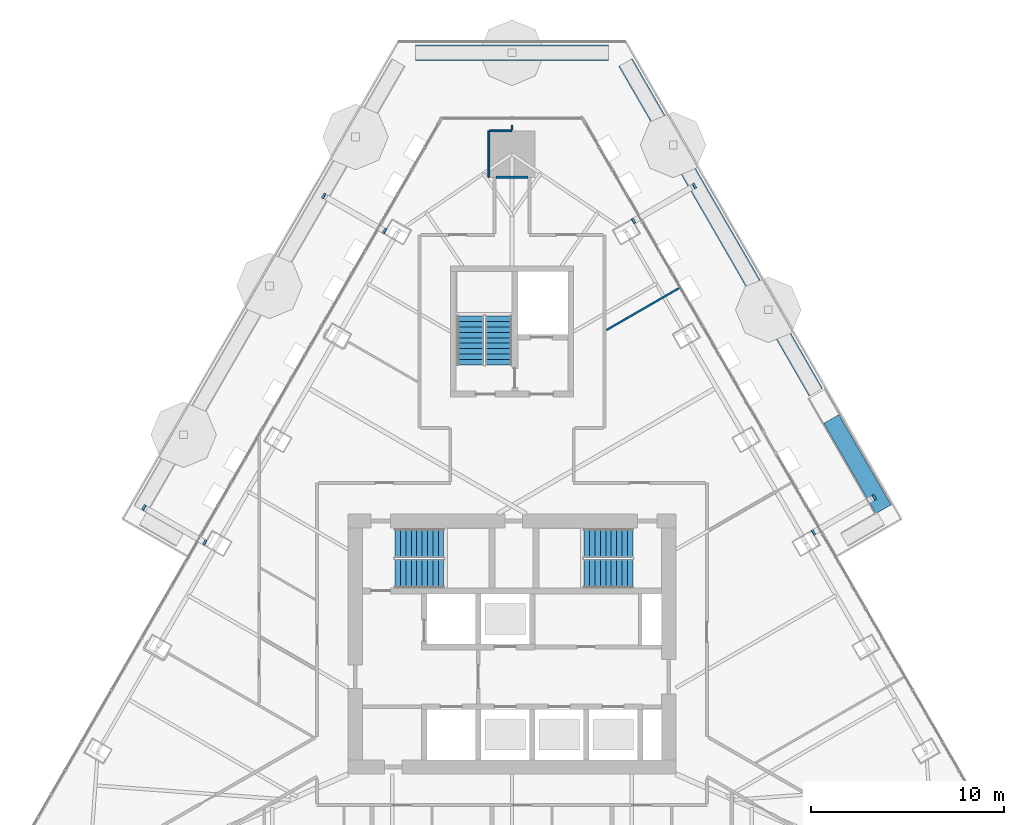
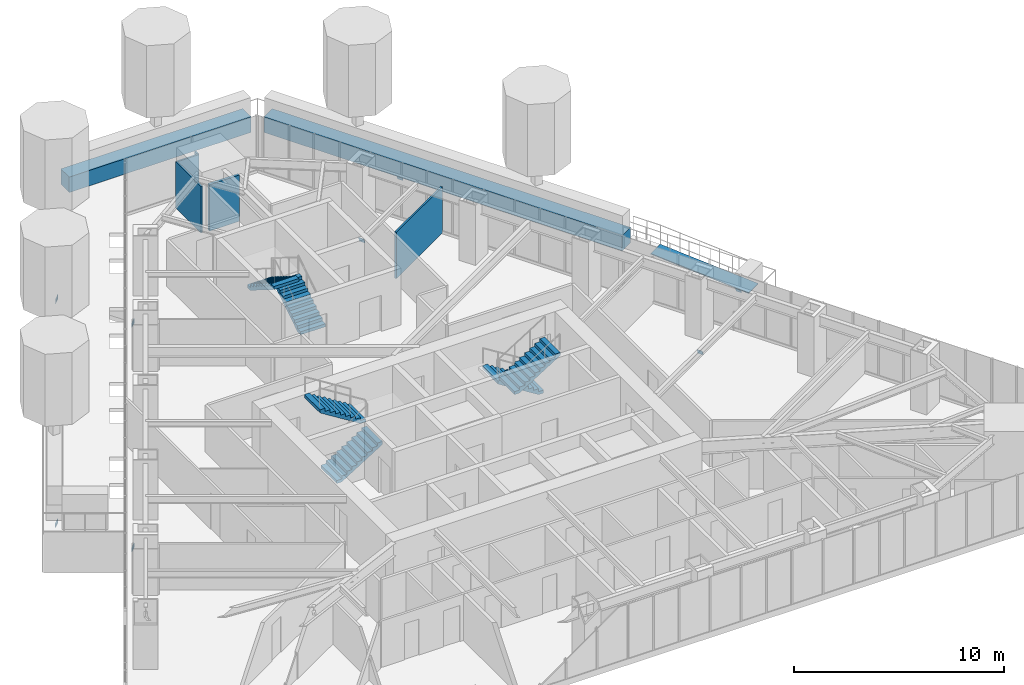
# One storey, part 19 of 22: 8 discrete accessories, 7 walls, 6 stair flights, 1 ramp flight, 4 elements without a shape of their own.
"""IFC4 building model written with IfcOpenShell, lengths in metres."""

from ifc_helpers import new_model, si_unit, direction, frame, frame_2d, origin, place, context, subcontext, project, spatial, polyline, rectangle, outline, extrude, material, layer, layer_set, type_object, element, aggregate, save


model = new_model("IFC4")

# Units and contexts
model_context = context("Model", 3, precision=1e-05, world=origin(), true_north=direction((0.0, 1.0)))
body_context = subcontext(model_context, "Body", "Model", "MODEL_VIEW")
ifc_project = project(units=[si_unit("LENGTHUNIT", "METRE"), si_unit("AREAUNIT", "SQUARE_METRE"), si_unit("VOLUMEUNIT", "CUBIC_METRE"), si_unit("PLANEANGLEUNIT", "RADIAN"), si_unit("MASSUNIT", "GRAM", prefix="KILO")], contexts=[model_context])

# Site, building, storey
site_placement = place(None, origin())
site = spatial("IfcSite", under=ifc_project, at=site_placement, CompositionType="ELEMENT")
building_placement = place(site_placement, origin())
building = spatial("IfcBuilding", under=site, at=building_placement, Name="Firuza Gate Tower and Library", CompositionType="ELEMENT")
storey_placement = place(building_placement, frame((0.0, 0.0, 295.10009765625)))
storey = spatial("IfcBuildingStorey", under=building, at=storey_placement, Name="L71", CompositionType="ELEMENT", Elevation=295.10009765625)

# Walls
ifc_material_1 = material(Name="Gypsum board partition")
ifc_layer_1 = layer(ifc_material_1, 0.14990234375)
ifc_layer_set_1 = layer_set([ifc_layer_1], Name="Corridor wall 150 double board on steel studs")
wall_type_1 = type_object("IfcWallType", Name="Corridor wall 150 double board on steel studs", PredefinedType="PARTITIONING", material=ifc_layer_set_1)
wall_1_placement = place(storey_placement, frame((74.180419921875, 99.18896484375, 0.0), z_axis=(0.0, 0.0, 1.0), x_axis=(1.0, 0.0, 0.0)))
element("IfcWall", 1, at=wall_1_placement, inside=storey, type_object=wall_type_1, Name="f:L71:w008", PredefinedType="PARTITIONING", context=body_context, shape_type="SweptSolid", body=[
    extrude(rectangle(XDim=1.64404296875, YDim=0.14990234375, at=frame_2d((0.822021484375, 0.0))), origin(), (0.0, 0.0, 1.0), 2.697021484375),
])
ifc_material_2 = material(Name="Gypsum board partition")
ifc_layer_2 = layer(ifc_material_2, 0.10009765625)
ifc_layer_set_2 = layer_set([ifc_layer_2], Name="Partition 100 gypsum board on steel studs")
wall_type_2 = type_object("IfcWallType", Name="Partition 100 gypsum board on steel studs", PredefinedType="PARTITIONING", material=ifc_layer_set_2)
wall_2_placement = place(storey_placement, frame((73.8505859375, 101.589111328125, 0.0), z_axis=(0.0, 0.0, 1.0), x_axis=(1.0, 0.0, 0.0)))
element("IfcWall", 2, at=wall_2_placement, inside=storey, type_object=wall_type_2, Name="f:L71:w009", PredefinedType="PARTITIONING", context=body_context, shape_type="SweptSolid", body=[
    extrude(rectangle(XDim=1.1494140625, YDim=0.10009765625, at=frame_2d((0.57470703125, 0.0))), origin(), (0.0, 0.0, 1.0), 2.699951171875),
])
wall_3_placement = place(storey_placement, frame((79.901123046875, 91.27392578125, 0.0), z_axis=(0.0, 0.0, 1.0), x_axis=(0.86602077629, 0.50000801497, 0.0)))
element("IfcWall", 3, at=wall_3_placement, inside=storey, type_object=wall_type_2, Name="f:L71:w017", PredefinedType="PARTITIONING", context=body_context, shape_type="SweptSolid", body=[
    extrude(rectangle(XDim=4.39111328125, YDim=0.10009765625, at=frame_2d((2.195556640625, 0.0))), origin(), (0.0, 0.0, 1.0), 2.699951171875),
])
wall_4_placement = place(storey_placement, frame((75.0, 101.639404296875, 0.0), z_axis=(0.0, 0.0, 1.0), x_axis=(0.0, 1.0, 0.0)))
element("IfcWall", 4, at=wall_4_placement, inside=storey, type_object=wall_type_2, Name="f:L71:w034", PredefinedType="PARTITIONING", context=body_context, shape_type="SweptSolid", body=[
    extrude(rectangle(XDim=0.25, YDim=0.10009765625, at=frame_2d((0.125, 0.0))), origin(), (0.0, 0.0, 1.0), 2.699951171875),
])
wall_5_placement = place(storey_placement, frame((73.800048828125, 99.18994140625, 0.0), z_axis=(0.0, 0.0, 1.0), x_axis=(0.0, 1.0, 0.0)))
element("IfcWall", 5, at=wall_5_placement, inside=storey, type_object=wall_type_2, Name="f:L71:w037", PredefinedType="PARTITIONING", context=body_context, shape_type="SweptSolid", body=[
    extrude(rectangle(XDim=2.39892578125, YDim=0.10009765625, at=frame_2d((1.199462890625, 0.0))), origin(), (0.0, 0.0, 1.0), 2.699951171875),
])
ifc_material_3 = material(Name="Concrete C40/50", Category="concrete")
ifc_layer_3 = layer(ifc_material_3, 0.800048828125)
ifc_layer_set_3 = layer_set([ifc_layer_3], Name="Planter wall 800")
wall_type_3 = type_object("IfcWallType", Name="Planter wall 800", PredefinedType="SOLIDWALL", material=ifc_layer_set_3)
wall_6_placement = place(storey_placement, frame((90.750244140625, 88.044677734375, 0.0), z_axis=(0.0, 0.0, 1.0), x_axis=(-0.50000302904, 0.86602365496, 0.0)))
element("IfcWall", 6, at=wall_6_placement, inside=storey, type_object=wall_type_3, Name="PLANTER L71 2", PredefinedType="SOLIDWALL", context=body_context, shape_type="SweptSolid", body=[
    extrude(rectangle(XDim=19.734375, YDim=0.800048828125, at=frame_2d((9.8671875, 0.0))), origin(), (0.0, 0.0, 1.0), 0.89990234375),
])
wall_7_placement = place(storey_placement, frame((80.009521484375, 105.639404296875, 0.0), z_axis=(0.0, 0.0, 1.0), x_axis=(-1.0, 0.0, 0.0)))
element("IfcWall", 7, at=wall_7_placement, inside=storey, type_object=wall_type_3, Name="PLANTER L71 3", PredefinedType="SOLIDWALL", context=body_context, shape_type="SweptSolid", body=[
    extrude(rectangle(XDim=10.01904296875, YDim=0.800048828125, at=frame_2d((5.009521484375, 0.0))), origin(), (0.0, 0.0, 1.0), 0.89990234375),
])

# Stair, stair flights
ifc_material_4 = material(Name="Concrete C35/45", Category="concrete")
stair_type_1 = type_object("IfcStairType", Name="Exit stair ST17", PredefinedType="HALF_TURN_STAIR", material=ifc_material_4)
placement = place(storey_placement, origin())
stair_1 = element("IfcStair", 8, at=placement, inside=storey, type_object=stair_type_1, Name="L71 Stair ST3", PredefinedType="HALF_TURN_STAIR")
ifc_material_5 = material(Name="Concrete C35/45", Category="concrete")
stair_flight_type_1 = type_object("IfcStairFlightType", Name="Stair flight 10 risers 175 width 1370", PredefinedType="STRAIGHT", material=ifc_material_5)
stair_flight_1_placement = place(storey_placement, frame((74.31494140625, 89.469970703125, 0.0), z_axis=(0.0, 0.0, 1.0), x_axis=(0.0, 1.0, 0.0)))
stair_flight_1 = element("IfcStairFlight", 9, at=stair_flight_1_placement, type_object=stair_flight_type_1, Name="ST3 flight 1", NumberOfRisers=10, NumberOfTreads=9, PredefinedType="STRAIGHT", RiserHeight=0.175, TreadLength=0.28, context=body_context, shape_type="SweptSolid", body=[
    extrude(outline(polyline([(0.0, 0.0), (0.0, 0.175048828125), (0.280029296875, 0.175048828125), (0.280029296875, 0.35009765625), (0.56005859375, 0.35009765625), (0.56005859375, 0.52490234375), (0.840087890625, 0.52490234375), (0.840087890625, 0.699951171875), (1.1201171875, 0.699951171875), (1.1201171875, 0.875), (1.39990234375, 0.875), (1.39990234375, 1.050048828125), (1.679931640625, 1.050048828125), (1.679931640625, 1.22509765625), (1.9599609375, 1.22509765625), (1.9599609375, 1.39990234375), (2.239990234375, 1.39990234375), (2.239990234375, 1.574951171875), (2.52001953125, 1.574951171875), (2.52001953125, 1.75), (2.52001953125, 1.398193359375), (0.28271484375, 0.0), (0.0, 0.0)])), frame((0.0, 0.68505859375, 0.0), z_axis=(0.0, -1.0, 0.0), x_axis=(1.0, 0.0, 0.0)), (0.0, 0.0, 1.0), 1.3701171875),
])
stair_flight_2_placement = place(storey_placement, frame((72.844970703125, 91.989990234375, 1.75), z_axis=(0.0, 0.0, 1.0), x_axis=(0.0, -1.0, 0.0)))
stair_flight_2 = element("IfcStairFlight", 10, at=stair_flight_2_placement, type_object=stair_flight_type_1, Name="ST3 flight 2", NumberOfRisers=10, NumberOfTreads=9, PredefinedType="STRAIGHT", RiserHeight=0.175, TreadLength=0.28, context=body_context, shape_type="SweptSolid", body=[
    extrude(outline(polyline([(0.0, 0.0), (0.0, 0.175048828125), (0.280029296875, 0.175048828125), (0.280029296875, 0.35009765625), (0.56005859375, 0.35009765625), (0.56005859375, 0.52490234375), (0.840087890625, 0.52490234375), (0.840087890625, 0.699951171875), (1.1201171875, 0.699951171875), (1.1201171875, 0.875), (1.39990234375, 0.875), (1.39990234375, 1.050048828125), (1.679931640625, 1.050048828125), (1.679931640625, 1.22509765625), (1.9599609375, 1.22509765625), (1.9599609375, 1.39990234375), (2.239990234375, 1.39990234375), (2.239990234375, 1.574951171875), (2.52001953125, 1.574951171875), (2.52001953125, 1.75), (2.52001953125, 1.398193359375), (0.28271484375, 0.0), (0.0, 0.0)])), frame((0.0, 0.68505859375, 0.0), z_axis=(0.0, -1.0, 0.0), x_axis=(1.0, 0.0, 0.0)), (0.0, 0.0, 1.0), 1.3701171875),
])
aggregate(stair_1, [stair_flight_1, stair_flight_2])

ifc_material_6 = material(Name="Concrete C35/45", Category="concrete")
stair_type_2 = type_object("IfcStairType", Name="Exit stair ST8", PredefinedType="HALF_TURN_STAIR", material=ifc_material_6)
stair_2 = element("IfcStair", 11, at=placement, inside=storey, type_object=stair_type_2, Name="L71 Stair ST1", PredefinedType="HALF_TURN_STAIR")
ifc_material_7 = material(Name="Concrete C35/45", Category="concrete")
stair_flight_type_2 = type_object("IfcStairFlightType", Name="Stair flight 10 risers 175 width 1490", PredefinedType="STRAIGHT", material=ifc_material_7)
stair_flight_3_placement = place(storey_placement, frame((68.93994140625, 78.64501953125, 0.0), z_axis=(0.0, 0.0, 1.0), x_axis=(1.0, 0.0, 0.0)))
stair_flight_3 = element("IfcStairFlight", 12, at=stair_flight_3_placement, type_object=stair_flight_type_2, Name="ST1 flight 1", NumberOfRisers=10, NumberOfTreads=9, PredefinedType="STRAIGHT", RiserHeight=0.175, TreadLength=0.28, context=body_context, shape_type="SweptSolid", body=[
    extrude(outline(polyline([(0.0, 0.0), (0.0, 0.175048828125), (0.280029296875, 0.175048828125), (0.280029296875, 0.35009765625), (0.56005859375, 0.35009765625), (0.56005859375, 0.52490234375), (0.840087890625, 0.52490234375), (0.840087890625, 0.699951171875), (1.1201171875, 0.699951171875), (1.1201171875, 0.875), (1.39990234375, 0.875), (1.39990234375, 1.050048828125), (1.679931640625, 1.050048828125), (1.679931640625, 1.22509765625), (1.9599609375, 1.22509765625), (1.9599609375, 1.39990234375), (2.239990234375, 1.39990234375), (2.239990234375, 1.574951171875), (2.52001953125, 1.574951171875), (2.52001953125, 1.75), (2.52001953125, 1.398193359375), (0.28271484375, 0.0), (0.0, 0.0)])), frame((0.0, 0.7451171875, 0.0), z_axis=(0.0, -1.0, 0.0), x_axis=(1.0, 0.0, 0.0)), (0.0, 0.0, 1.0), 1.489990234375),
])
stair_flight_4_placement = place(storey_placement, frame((71.4599609375, 80.235107421875, 1.75), z_axis=(0.0, 0.0, 1.0), x_axis=(-1.0, 0.0, 0.0)))
stair_flight_4 = element("IfcStairFlight", 13, at=stair_flight_4_placement, type_object=stair_flight_type_2, Name="ST1 flight 2", NumberOfRisers=10, NumberOfTreads=9, PredefinedType="STRAIGHT", RiserHeight=0.175, TreadLength=0.28, context=body_context, shape_type="SweptSolid", body=[
    extrude(outline(polyline([(0.0, 0.0), (0.0, 0.175048828125), (0.280029296875, 0.175048828125), (0.280029296875, 0.35009765625), (0.56005859375, 0.35009765625), (0.56005859375, 0.52490234375), (0.840087890625, 0.52490234375), (0.840087890625, 0.699951171875), (1.1201171875, 0.699951171875), (1.1201171875, 0.875), (1.39990234375, 0.875), (1.39990234375, 1.050048828125), (1.679931640625, 1.050048828125), (1.679931640625, 1.22509765625), (1.9599609375, 1.22509765625), (1.9599609375, 1.39990234375), (2.239990234375, 1.39990234375), (2.239990234375, 1.574951171875), (2.52001953125, 1.574951171875), (2.52001953125, 1.75), (2.52001953125, 1.398193359375), (0.28271484375, 0.0), (0.0, 0.0)])), frame((0.0, 0.7451171875, 0.0), z_axis=(0.0, -1.0, 0.0), x_axis=(1.0, 0.0, 0.0)), (0.0, 0.0, 1.0), 1.489990234375),
])
aggregate(stair_2, [stair_flight_3, stair_flight_4])

stair_3 = element("IfcStair", 14, at=placement, inside=storey, type_object=stair_type_2, Name="L71 Stair ST2", PredefinedType="HALF_TURN_STAIR")
stair_flight_5_placement = place(storey_placement, frame((81.260009765625, 80.235107421875, 0.0), z_axis=(0.0, 0.0, 1.0), x_axis=(-1.0, 0.0, 0.0)))
stair_flight_5 = element("IfcStairFlight", 15, at=stair_flight_5_placement, type_object=stair_flight_type_2, Name="ST2 flight 1", NumberOfRisers=10, NumberOfTreads=9, PredefinedType="STRAIGHT", RiserHeight=0.175, TreadLength=0.28, context=body_context, shape_type="SweptSolid", body=[
    extrude(outline(polyline([(0.0, 0.0), (0.0, 0.175048828125), (0.280029296875, 0.175048828125), (0.280029296875, 0.35009765625), (0.56005859375, 0.35009765625), (0.56005859375, 0.52490234375), (0.840087890625, 0.52490234375), (0.840087890625, 0.699951171875), (1.1201171875, 0.699951171875), (1.1201171875, 0.875), (1.39990234375, 0.875), (1.39990234375, 1.050048828125), (1.679931640625, 1.050048828125), (1.679931640625, 1.22509765625), (1.9599609375, 1.22509765625), (1.9599609375, 1.39990234375), (2.239990234375, 1.39990234375), (2.239990234375, 1.574951171875), (2.52001953125, 1.574951171875), (2.52001953125, 1.75), (2.52001953125, 1.398193359375), (0.28271484375, 0.0), (0.0, 0.0)])), frame((0.0, 0.7451171875, 0.0), z_axis=(0.0, -1.0, 0.0), x_axis=(1.0, 0.0, 0.0)), (0.0, 0.0, 1.0), 1.489990234375),
])
stair_flight_6_placement = place(storey_placement, frame((78.739990234375, 78.64501953125, 1.75), z_axis=(0.0, 0.0, 1.0), x_axis=(1.0, 0.0, 0.0)))
stair_flight_6 = element("IfcStairFlight", 16, at=stair_flight_6_placement, type_object=stair_flight_type_2, Name="ST2 flight 2", NumberOfRisers=10, NumberOfTreads=9, PredefinedType="STRAIGHT", RiserHeight=0.175, TreadLength=0.28, context=body_context, shape_type="SweptSolid", body=[
    extrude(outline(polyline([(0.0, 0.0), (0.0, 0.175048828125), (0.280029296875, 0.175048828125), (0.280029296875, 0.35009765625), (0.56005859375, 0.35009765625), (0.56005859375, 0.52490234375), (0.840087890625, 0.52490234375), (0.840087890625, 0.699951171875), (1.1201171875, 0.699951171875), (1.1201171875, 0.875), (1.39990234375, 0.875), (1.39990234375, 1.050048828125), (1.679931640625, 1.050048828125), (1.679931640625, 1.22509765625), (1.9599609375, 1.22509765625), (1.9599609375, 1.39990234375), (2.239990234375, 1.39990234375), (2.239990234375, 1.574951171875), (2.52001953125, 1.574951171875), (2.52001953125, 1.75), (2.52001953125, 1.398193359375), (0.28271484375, 0.0), (0.0, 0.0)])), frame((0.0, 0.7451171875, 0.0), z_axis=(0.0, -1.0, 0.0), x_axis=(1.0, 0.0, 0.0)), (0.0, 0.0, 1.0), 1.489990234375),
])
aggregate(stair_3, [stair_flight_5, stair_flight_6])

# Ramp, ramp flight
ifc_material_8 = material(Name="Concrete C40/50", Category="concrete")
ifc_layer_4 = layer(ifc_material_8, 0.050048828125)
ifc_layer_set_4 = layer_set([ifc_layer_4], Name="Garden ramp")
ramp_type = type_object("IfcRampType", Name="Garden ramp", PredefinedType="STRAIGHT_RUN_RAMP", material=ifc_layer_set_4)
ramp = element("IfcRamp", 17, at=placement, inside=storey, type_object=ramp_type, Name="Garden ramp 8", PredefinedType="STRAIGHT_RUN_RAMP")
ifc_material_9 = material(Name="Concrete C40/50", Category="concrete")
ifc_layer_5 = layer(ifc_material_9, 0.050048828125)
ifc_layer_set_5 = layer_set([ifc_layer_5], Name="Garden ramp flight")
ramp_flight_type = type_object("IfcRampFlightType", Name="Garden ramp flight", PredefinedType="STRAIGHT", material=ifc_layer_set_5)
ramp_flight_placement = place(storey_placement, frame((94.25, 81.982421875, -0.000244140625), z_axis=(0.0, 0.0, 1.0), x_axis=(-0.499995103361, 0.866028230842, 0.0)))
ramp_flight = element("IfcRampFlight", 18, at=ramp_flight_placement, type_object=ramp_flight_type, Name="Garden ramp 8 flight", PredefinedType="STRAIGHT", context=body_context, shape_type="SweptSolid", body=[
    extrude(outline(polyline([(0.0, 0.050048828125), (5.39990234375, 0.4501953125), (5.39990234375, 0.400146484375), (0.0, 0.0), (0.0, 0.050048828125)])), frame((0.0, 0.449951171875, 0.0), z_axis=(0.0, -1.0, 0.0), x_axis=(1.0, 0.0, 0.0)), (0.0, 0.0, 1.0), 0.900146484375),
])
aggregate(ramp, [ramp_flight])

# Discrete accessories
ifc_material_10 = material(Name="Steel S355", Category="steel")
ifc_layer_6 = layer(ifc_material_10, 0.02001953125)
ifc_layer_set_6 = layer_set([ifc_layer_6], Name="Strut seat plate 304x304x20 Steel S355")
discrete_accessory_type = type_object("IfcDiscreteAccessoryType", Name="Strut seat plate 304x304x20 Steel S355", PredefinedType="BRACKET", material=ifc_layer_set_6)
discrete_accessory_1_placement = place(storey_placement, frame((90.50732421875, 80.8876953125, -1.53564453125), z_axis=(0.807176415657, 0.466110685294, 0.362225155203), x_axis=(0.500109644733, -0.865962083153, -0.000117414413)))
element("IfcDiscreteAccessory", 19, at=discrete_accessory_1_placement, inside=storey, type_object=discrete_accessory_type, Name="Strut seat plate L71 col:L70:E3", PredefinedType="BRACKET", context=body_context, shape_type="SweptSolid", body=[
    extrude(outline(polyline([(0.0, 0.0), (0.30397349470403323, 0.0), (0.303844502708561, 0.304060124563596), (-6.894914238654778e-06, 0.30413669158553386), (0.0, 0.0)])), origin(), (0.0, 0.0, -1.0), 0.02001953125),
])
discrete_accessory_2_placement = place(storey_placement, frame((93.809326171875, 82.443115234375, -0.12109375), z_axis=(0.807065000242, 0.466204446129, 0.362352728421), x_axis=(-0.500174513809, 0.865924622089, -6.7792295e-05)))
element("IfcDiscreteAccessory", 20, at=discrete_accessory_2_placement, inside=storey, type_object=discrete_accessory_type, Name="Strut seat plate L71 col:L70:E3", PredefinedType="BRACKET", context=body_context, shape_type="SweptSolid", body=[
    extrude(outline(polyline([(0.0, 0.0), (0.3041849095061368, -6.938893903907228e-18), (0.3040246340973766, -0.30409246341043505), (5.113196967963103e-05, -0.30413669800198206), (0.0, 0.0)])), origin(), (0.0, 0.0, -1.0), 0.02001953125),
])
discrete_accessory_3_placement = place(storey_placement, frame((81.187255859375, 97.030517578125, -1.53564453125), z_axis=(0.807065000242, 0.466204446129, 0.362352728421), x_axis=(0.500220173323, -0.865898246677, -6.7839443e-05)))
element("IfcDiscreteAccessory", 21, at=discrete_accessory_3_placement, inside=storey, type_object=discrete_accessory_type, Name="Strut seat plate L71 col:L70:E6", PredefinedType="BRACKET", context=body_context, shape_type="SweptSolid", body=[
    extrude(outline(polyline([(0.0, 0.0), (0.30397350534623263, -1.3877787807814457e-17), (0.3041780326557639, 0.30409243686716886), (-6.873629598945817e-06, 0.30413670222250444), (0.0, 0.0)])), origin(), (0.0, 0.0, -1.0), 0.02001953125),
])
discrete_accessory_4_placement = place(storey_placement, frame((84.4892578125, 98.5859375, -0.12109375), z_axis=(0.807328680114, 0.465982478786, 0.362050730879), x_axis=(-0.499879541517, 0.86609493793, -4.9649318e-05)))
element("IfcDiscreteAccessory", 22, at=discrete_accessory_4_placement, inside=storey, type_object=discrete_accessory_type, Name="Strut seat plate L71 col:L70:E6", PredefinedType="BRACKET", context=body_context, shape_type="SweptSolid", body=[
    extrude(outline(polyline([(0.0, 0.0), (0.3038514203886584, -6.938893903907228e-18), (0.30405700574970995, -0.3040600955330893), (-0.00012790450209466603, -0.30409248121935917), (0.0, 0.0)])), origin(), (0.0, 0.0, -1.0), 0.02001953125),
])
discrete_accessory_5_placement = place(storey_placement, frame((68.360595703125, 96.24755859375, -1.53564453125), z_axis=(-0.807328680114, 0.465982478786, 0.362050730879), x_axis=(0.499912926069, 0.866075668686, 4.9594885e-05)))
element("IfcDiscreteAccessory", 23, at=discrete_accessory_5_placement, inside=storey, type_object=discrete_accessory_type, Name="Strut seat plate L71 col:L70:W1", PredefinedType="BRACKET", context=body_context, shape_type="SweptSolid", body=[
    extrude(outline(polyline([(0.0, 0.0), (0.3041849119758097, 6.938893903907228e-18), (0.304024631629005, 0.3040924658782561), (0.00017321296246153618, 0.30406011569786934), (0.0, 0.0)])), origin(), (0.0, 0.0, -1.0), 0.02001953125),
])
discrete_accessory_6_placement = place(storey_placement, frame((65.36279296875, 98.32958984375, -0.12109375), z_axis=(-0.807065000242, 0.466204446129, 0.362352728421), x_axis=(-0.500174513809, -0.865924622089, 6.7792295e-05)))
element("IfcDiscreteAccessory", 24, at=discrete_accessory_6_placement, inside=storey, type_object=discrete_accessory_type, Name="Strut seat plate L71 col:L70:W1", PredefinedType="BRACKET", context=body_context, shape_type="SweptSolid", body=[
    extrude(outline(polyline([(0.0, 0.0), (0.3041849095061368, 6.938893903907228e-18), (0.3041337775364572, -0.304136698001982), (0.00016027540876014529, -0.30409246341043505), (0.0, 0.0)])), origin(), (0.0, 0.0, -1.0), 0.02001953125),
])
discrete_accessory_7_placement = place(storey_placement, frame((59.040771484375, 80.10498046875, -1.53564453125), z_axis=(-0.807389027558, 0.465642999667, 0.362352804651), x_axis=(0.499617796206, 0.866245954172, 6.7784983e-05)))
element("IfcDiscreteAccessory", 25, at=discrete_accessory_7_placement, inside=storey, type_object=discrete_accessory_type, Name="Strut seat plate L71 col:L70:W4", PredefinedType="BRACKET", context=body_context, shape_type="SweptSolid", body=[
    extrude(outline(polyline([(0.0, 0.0), (0.30385141792910364, -6.938893903907228e-18), (0.30393499433551924, 0.3041366908296457), (-0.00012790942223972983, 0.30409247875968454), (0.0, 0.0)])), origin(), (0.0, 0.0, -1.0), 0.02001953125),
])
discrete_accessory_8_placement = place(storey_placement, frame((56.042724609375, 82.186767578125, -0.12109375), z_axis=(-0.806912615133, 0.466332615239, 0.36252713485), x_axis=(-0.500371262739, -0.865810949009, 0.0)))
element("IfcDiscreteAccessory", 26, at=discrete_accessory_8_placement, inside=storey, type_object=discrete_accessory_type, Name="Strut seat plate L71 col:L70:W4", PredefinedType="BRACKET", context=body_context, shape_type="SweptSolid", body=[
    extrude(outline(polyline([(0.0, 0.0), (0.3039735106735333, 0.0), (0.3039666476986559, -0.3041367075471871), (-6.862974877369643e-06, -0.30413670754718714), (0.0, 0.0)])), origin(), (0.0, 0.0, -1.0), 0.02001953125),
])

save(model, "model.ifc")
